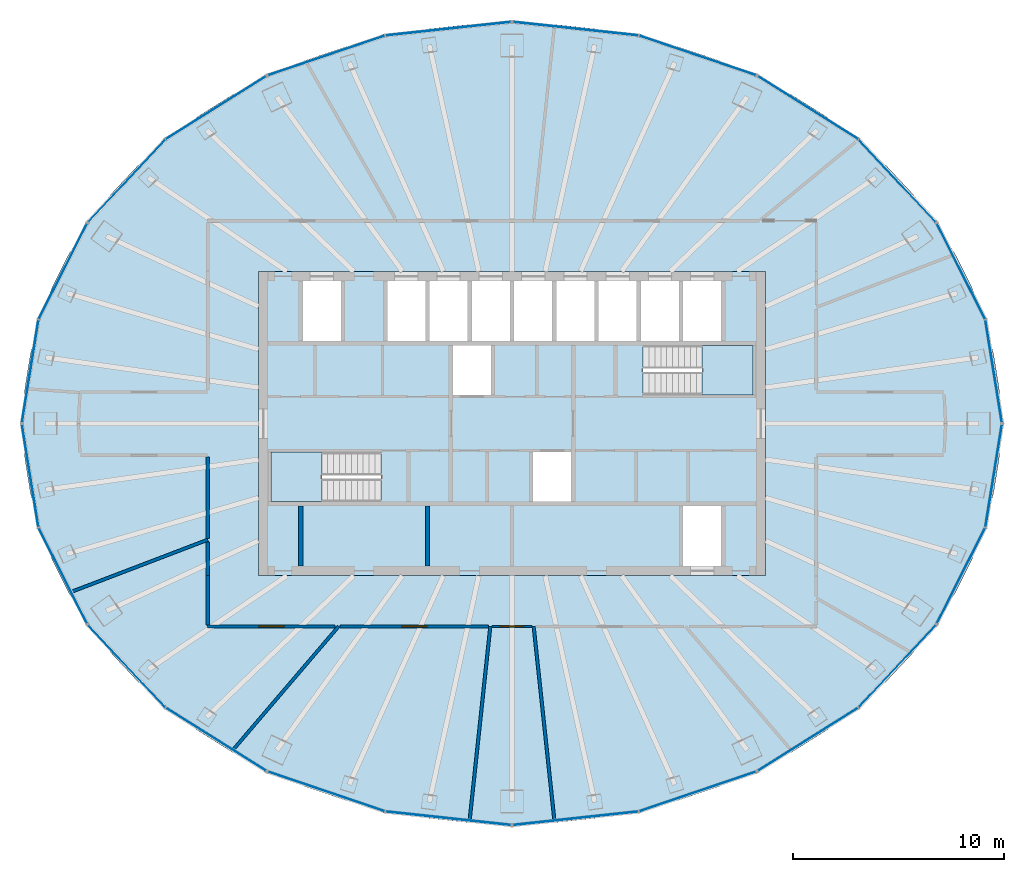
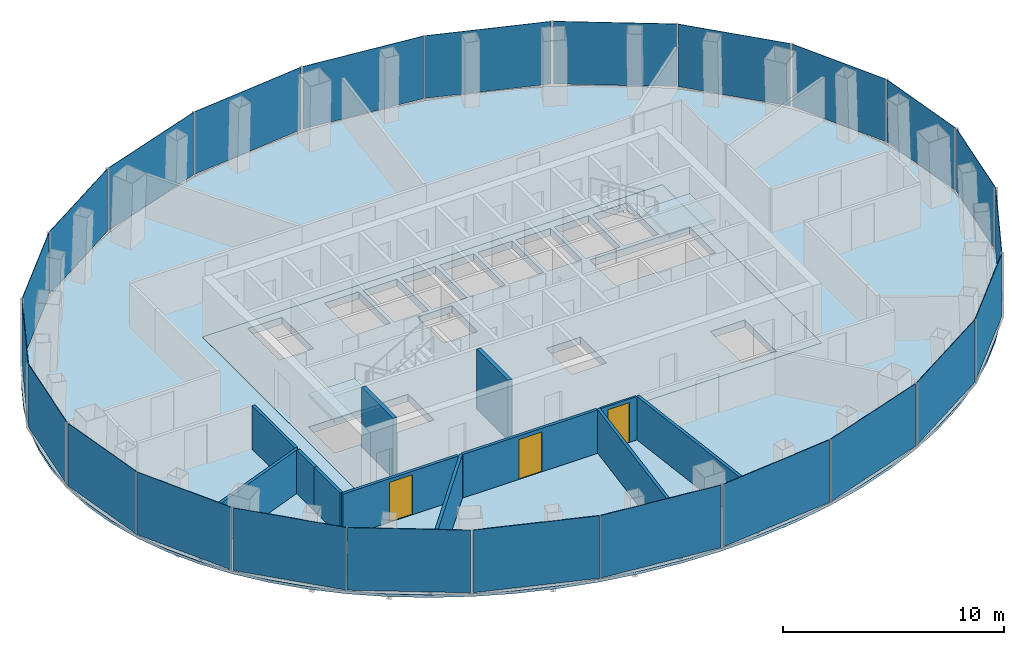
# One storey, part 7 of 11: 24 plates, 12 walls, 4 slabs, 3 doors, 3 openings, 14 elements without a shape of their own.
"""IFC4 building model written with IfcOpenShell, lengths in metres."""

import ifcopenshell
import ifcopenshell.guid

model = None  # the IFC model being written
_history = None  # IfcOwnerHistory: only IFC2X3 demands one
_inside = {}  # id of a spatial element -> (the spatial element, [elements in it])
_under = {}  # id of a project, library or spatial element -> (it, [spatial elements below it])
_declared = {}  # id of a project -> (the project, [libraries it declares])
_typed = {}  # id of a type object -> (the type object, [elements of that type])
_made_of = {}  # id of a material, layer set ... -> (it, [elements and type objects made of it])


def new_model(schema):
    """Start an empty IFC model of exactly this schema.

    Asked for "IFC4X3", IfcOpenShell would pick the latest addendum, in which some entities
    have other attributes; the version numbers below select the first issue.
    IFC2X3 requires an IfcOwnerHistory on every rooted entity: one is made here for all.
    """
    global model, _history
    if schema == "IFC4X3":
        model = ifcopenshell.file(schema_version=(4, 3, 0, 0))
    else:
        model = ifcopenshell.file(schema=schema)
    _inside.clear()
    _under.clear()
    _declared.clear()
    _typed.clear()
    _made_of.clear()
    _history = None
    if model.schema == "IFC2X3":
        org = make("IfcOrganization", Name="unknown")
        user = make(
            "IfcPersonAndOrganization",
            ThePerson=make("IfcPerson", FamilyName="unknown"),
            TheOrganization=org,
        )
        app = make(
            "IfcApplication",
            ApplicationDeveloper=org,
            Version="unknown",
            ApplicationFullName="unknown",
            ApplicationIdentifier="unknown",
        )
        _history = make(
            "IfcOwnerHistory",
            OwningUser=user,
            OwningApplication=app,
            ChangeAction="ADDED",
            CreationDate=0,
        )
    return model


def make(cls, **values):
    """One entity of the class cls with the attributes given. An attribute that is None is left unset."""
    return model.create_entity(
        cls, **{name: value for name, value in values.items() if value is not None}
    )


def rooted(cls, **values):
    """An entity with a GlobalId (a new one), such as an element, a storey or a relation."""
    return make(cls, GlobalId=ifcopenshell.guid.new(), OwnerHistory=_history, **values)


def si_unit(unit_type, name, prefix=None):
    """IfcSIUnit, for example si_unit("LENGTHUNIT", "METRE", prefix="MILLI")."""
    return make("IfcSIUnit", UnitType=unit_type, Prefix=prefix, Name=name)


def assignment(units):
    """IfcUnitAssignment: the units of a project."""
    return None if units is None else make("IfcUnitAssignment", Units=units)


def point(xyz):
    """IfcCartesianPoint."""
    return None if xyz is None else make("IfcCartesianPoint", Coordinates=xyz)


def direction(xyz):
    """IfcDirection."""
    return None if xyz is None else make("IfcDirection", DirectionRatios=xyz)


def frame(location, z_axis=None, x_axis=None):
    """IfcAxis2Placement3D, a coordinate frame: its origin and axes. An axis left out is left unset."""
    return make(
        "IfcAxis2Placement3D",
        Location=point(location),
        Axis=direction(z_axis),
        RefDirection=direction(x_axis),
    )


def frame_2d(location, x_axis=None):
    """IfcAxis2Placement2D, a coordinate frame in the plane: its origin and x axis."""
    return make(
        "IfcAxis2Placement2D", Location=point(location), RefDirection=direction(x_axis)
    )


def origin():
    """The frame at (0, 0, 0) with its axes left unset."""
    return frame((0.0, 0.0, 0.0))


def origin_2d():
    """The frame at (0, 0) in the plane with its x axis left unset."""
    return frame_2d((0.0, 0.0))


def place(relative_to, where):
    """IfcLocalPlacement: puts the frame where relative to a parent placement (None: the world)."""
    return make(
        "IfcLocalPlacement", PlacementRelTo=relative_to, RelativePlacement=where
    )


def context(
    kind, dimensions, precision=None, world=None, true_north=None, identifier=None
):
    """IfcGeometricRepresentationContext, for example the 3D "Model" context."""
    return make(
        "IfcGeometricRepresentationContext",
        ContextIdentifier=identifier,
        ContextType=kind,
        CoordinateSpaceDimension=dimensions,
        Precision=precision,
        WorldCoordinateSystem=world,
        TrueNorth=true_north,
    )


def subcontext(parent, identifier, kind, view, scale=None):
    """IfcGeometricRepresentationSubContext, for example "Body" below "Model"."""
    return make(
        "IfcGeometricRepresentationSubContext",
        ContextIdentifier=identifier,
        ContextType=kind,
        ParentContext=parent,
        TargetScale=scale,
        TargetView=view,
    )


def project(units=None, contexts=None):
    """IfcProject with its units and contexts."""
    return rooted(
        "IfcProject",
        Name="project",
        RepresentationContexts=contexts,
        UnitsInContext=assignment(units),
    )


def spatial(cls, under=None, at=None, **own):
    """A site, building, storey or space (cls), placed at a placement, below another one or the project."""
    s = rooted(cls, ObjectPlacement=at, **own)
    if under is not None:
        _under.setdefault(under.id(), (under, []))[1].append(s)
    return s


def polyline(points):
    """IfcPolyline through the points."""
    return make("IfcPolyline", Points=[point(p) for p in points])


def profile(cls, at=None, kind="AREA", **sizes):
    """A parametric profile (cls). Its sizes go by their IFC names, for example OverallWidth=200.0."""
    return make(cls, ProfileType=kind, Position=at, **sizes)


def rectangle(**sizes):
    """IfcRectangleProfileDef."""
    return profile("IfcRectangleProfileDef", **sizes)


def outline(outer, holes=None, kind="AREA"):
    """IfcArbitraryClosedProfileDef: a profile drawn as a closed curve; with holes, ...WithVoids."""
    if holes is None:
        return make("IfcArbitraryClosedProfileDef", ProfileType=kind, OuterCurve=outer)
    return make(
        "IfcArbitraryProfileDefWithVoids",
        ProfileType=kind,
        OuterCurve=outer,
        InnerCurves=holes,
    )


def extrude(swept, where, along, depth):
    """IfcExtrudedAreaSolid: the profile swept, set in the frame where, extruded along a direction by depth."""
    return make(
        "IfcExtrudedAreaSolid",
        SweptArea=swept,
        Position=where,
        ExtrudedDirection=direction(along),
        Depth=depth,
    )


def shape(context_of_items, identifier, shape_type, items):
    """IfcShapeRepresentation: the items that make up one representation, for example the "Body"."""
    return make(
        "IfcShapeRepresentation",
        ContextOfItems=context_of_items,
        RepresentationIdentifier=identifier,
        RepresentationType=shape_type,
        Items=items,
    )


def material(Name=None, Category=None):
    """IfcMaterial."""
    return make("IfcMaterial", Name=Name, Category=Category)


def layer(
    of_material, thickness, ventilated=None, Name=None, Category=None, Priority=None
):
    """IfcMaterialLayer: one layer of a wall or slab, of a material (None: an air gap)."""
    return make(
        "IfcMaterialLayer",
        Material=of_material,
        LayerThickness=thickness,
        IsVentilated=ventilated,
        Name=Name,
        Category=Category,
        Priority=Priority,
    )


def layer_set(layers, Name=None):
    """IfcMaterialLayerSet."""
    return make("IfcMaterialLayerSet", MaterialLayers=layers, LayerSetName=Name)


def made_of(thing, what):
    """Note that an element or type object is made of a material, layer set ...; save() writes the relation."""
    if what is not None:
        _made_of.setdefault(what.id(), (what, []))[1].append(thing)
    return thing


def type_object(cls, material=None, **own):
    """A type object (cls), such as IfcWallType, which elements share."""
    return made_of(rooted(cls, **own), material)


def element(
    cls,
    number,
    at=None,
    inside=None,
    cuts=None,
    type_object=None,
    material=None,
    context=None,
    identifier="Body",
    shape_type=None,
    held_by="IfcProductDefinitionShape",
    body=None,
    shapes=None,
    **own,
):
    """One element of the class cls, such as IfcWall. Its Tag is "e" and its number.

    at: its placement. inside: the storey or other place that contains it. cuts: it is an
    opening in that element (IfcRelVoidsElement). A single representation is given by context,
    identifier, shape_type and body (its items); several are given by shapes. held_by: the class
    of the entity that holds the representations. save() writes the other relations.
    """
    e = rooted(cls, Tag="e%d" % number, ObjectPlacement=at, **own)
    if body is not None:
        shapes = [shape(context, identifier, shape_type, body)]
    if shapes is not None:
        e.Representation = make(held_by, Representations=shapes)
    if inside is not None:
        _inside.setdefault(inside.id(), (inside, []))[1].append(e)
    if cuts is not None:
        rooted(
            "IfcRelVoidsElement", RelatingBuildingElement=cuts, RelatedOpeningElement=e
        )
    if type_object is not None:
        _typed.setdefault(type_object.id(), (type_object, []))[1].append(e)
    return made_of(e, material)


def fill(opening, filler):
    """IfcRelFillsElement: the door or window that sits in an opening."""
    return rooted(
        "IfcRelFillsElement",
        RelatingOpeningElement=opening,
        RelatedBuildingElement=filler,
    )


def aggregate(whole, parts):
    """IfcRelAggregates: a whole, such as a stair, and the parts it consists of."""
    return rooted("IfcRelAggregates", RelatingObject=whole, RelatedObjects=parts)


def save(model, path):
    """Write the relations noted so far, then the file.

    IfcRelAggregates (storeys below a building ...), IfcRelContainedInSpatialStructure (elements
    in a storey), IfcRelDefinesByType, IfcRelAssociatesMaterial and IfcRelDeclares: one each for
    every whole, place, type object, material and project.
    """
    for whole, parts in _under.values():
        aggregate(whole, parts)
    for where, things in _inside.values():
        rooted(
            "IfcRelContainedInSpatialStructure",
            RelatedElements=things,
            RelatingStructure=where,
        )
    for kind, things in _typed.values():
        rooted("IfcRelDefinesByType", RelatedObjects=things, RelatingType=kind)
    for what, things in _made_of.values():
        rooted("IfcRelAssociatesMaterial", RelatedObjects=things, RelatingMaterial=what)
    for by, libraries in _declared.values():
        rooted("IfcRelDeclares", RelatingContext=by, RelatedDefinitions=libraries)
    model.write(path)


model = new_model("IFC4")

# Units and contexts
model_context = context("Model", 3, precision=1e-05, world=origin(), true_north=direction((0.0, 1.0)))
body_context = subcontext(model_context, "Body", "Model", "MODEL_VIEW")
ifc_project = project(units=[si_unit("LENGTHUNIT", "METRE"), si_unit("AREAUNIT", "SQUARE_METRE"), si_unit("VOLUMEUNIT", "CUBIC_METRE"), si_unit("PLANEANGLEUNIT", "RADIAN"), si_unit("MASSUNIT", "GRAM", prefix="KILO")], contexts=[model_context])

# Site, building, storey
site_placement = place(None, origin())
site = spatial("IfcSite", under=ifc_project, at=site_placement, CompositionType="ELEMENT")
building_placement = place(site_placement, origin())
building = spatial("IfcBuilding", under=site, at=building_placement, Name="Siaravel Broadcast Tower", CompositionType="ELEMENT")
storey_placement = place(building_placement, frame((0.0, 0.0, 183.0)))
storey = spatial("IfcBuildingStorey", under=building, at=storey_placement, Name="L44", CompositionType="ELEMENT", Elevation=183.0)

# Curtain wall, plates
ifc_material_1 = material(Name="Aluminium 6063-T6", Category="aluminium")
ifc_layer_1 = layer(ifc_material_1, 0.179931640625)
ifc_layer_set_1 = layer_set([ifc_layer_1], Name="Aluminium 6063-T6")
curtain_wall_type = type_object("IfcCurtainWallType", Name="Unitised curtain wall, zone 3", PredefinedType="NOTDEFINED", material=ifc_layer_set_1)
curtain_wall_1_placement = place(storey_placement, origin())
curtain_wall_1 = element("IfcCurtainWall", 1, at=curtain_wall_1_placement, inside=storey, type_object=curtain_wall_type, Name="L44 Unitised curtain wall, zone 3 01", PredefinedType="NOTDEFINED")
ifc_material_2 = material(Name="Tinted insulated glass", Category="glass")
ifc_layer_2 = layer(ifc_material_2, 0.028076171875)
ifc_layer_set_2 = layer_set([ifc_layer_2], Name="Tinted insulated glass")
plate_type = type_object("IfcPlateType", Name="CW-Z3 glass panel", PredefinedType="CURTAIN_PANEL", material=ifc_layer_set_2)
plate_1_placement = place(storey_placement, frame((22.796630859375, 2.475830078125, 0.10009765625), z_axis=(0.0, 0.0, 1.0), x_axis=(-0.158685547, 0.987329174, 0.0)))
plate_1 = element("IfcPlate", 2, at=plate_1_placement, type_object=plate_type, Name="CW-Z3 glass panel", PredefinedType="CURTAIN_PANEL", context=body_context, shape_type="SweptSolid", body=[
    extrude(rectangle(XDim=4.8955078125, YDim=0.028076171875, at=origin_2d()), origin(), (0.0, 0.0, 1.0), 3.449951171875),
])
plate_2_placement = place(storey_placement, frame((21.250732421875, 7.20166015625, 0.10009765625), z_axis=(0.0, 0.0, 1.0), x_axis=(-0.451261028, 0.892392002, 0.0)))
plate_2 = element("IfcPlate", 3, at=plate_2_placement, type_object=plate_type, Name="CW-Z3 glass panel", PredefinedType="CURTAIN_PANEL", context=body_context, shape_type="SweptSolid", body=[
    extrude(rectangle(XDim=5.048583984375, YDim=0.028076171875, at=origin_2d()), origin(), (0.0, 0.0, 1.0), 3.449951171875),
])
aggregate(curtain_wall_1, [plate_1, plate_2])

curtain_wall_2_placement = place(storey_placement, origin())
curtain_wall_2 = element("IfcCurtainWall", 4, at=curtain_wall_2_placement, inside=storey, type_object=curtain_wall_type, Name="L44 Unitised curtain wall, zone 3 02", PredefinedType="NOTDEFINED")
plate_3_placement = place(storey_placement, frame((18.230712890625, 11.48681640625, 0.10009765625), z_axis=(0.0, 0.0, 1.0), x_axis=(-0.683655351, 0.729805016, 0.0)))
plate_3 = element("IfcPlate", 5, at=plate_3_placement, type_object=plate_type, Name="CW-Z3 glass panel", PredefinedType="CURTAIN_PANEL", context=body_context, shape_type="SweptSolid", body=[
    extrude(rectangle(XDim=5.303466796875, YDim=0.028076171875, at=origin_2d()), origin(), (0.0, 0.0, 1.0), 3.449951171875),
])
plate_4_placement = place(storey_placement, frame((14.00830078125, 14.945556640625, 0.10009765625), z_axis=(0.0, 0.0, 1.0), x_axis=(-0.846650771, 0.532148919, 0.0)))
plate_4 = element("IfcPlate", 6, at=plate_4_placement, type_object=plate_type, Name="CW-Z3 glass panel", PredefinedType="CURTAIN_PANEL", context=body_context, shape_type="SweptSolid", body=[
    extrude(rectangle(XDim=5.583740234375, YDim=0.028076171875, at=origin_2d()), origin(), (0.0, 0.0, 1.0), 3.449951171875),
])
aggregate(curtain_wall_2, [plate_3, plate_4])

curtain_wall_3_placement = place(storey_placement, origin())
curtain_wall_3 = element("IfcCurtainWall", 7, at=curtain_wall_3_placement, inside=storey, type_object=curtain_wall_type, Name="L44 Unitised curtain wall, zone 3 03", PredefinedType="NOTDEFINED")
plate_5_placement = place(storey_placement, frame((8.783203125, 17.416748046875, 0.10009765625), z_axis=(0.0, 0.0, 1.0), x_axis=(-0.946977335, 0.321300369, 0.0)))
plate_5 = element("IfcPlate", 8, at=plate_5_placement, type_object=plate_type, Name="CW-Z3 glass panel", PredefinedType="CURTAIN_PANEL", context=body_context, shape_type="SweptSolid", body=[
    extrude(rectangle(XDim=5.81591796875, YDim=0.028076171875, at=origin_2d()), origin(), (0.0, 0.0, 1.0), 3.449951171875),
])
plate_6_placement = place(storey_placement, frame((3.015380859375, 18.6826171875, 0.10009765625), z_axis=(0.0, 0.0, 1.0), x_axis=(-0.994235601, 0.107217391, 0.0)))
plate_6 = element("IfcPlate", 9, at=plate_6_placement, type_object=plate_type, Name="CW-Z3 glass panel", PredefinedType="CURTAIN_PANEL", context=body_context, shape_type="SweptSolid", body=[
    extrude(rectangle(XDim=5.94580078125, YDim=0.028076171875, at=origin_2d()), origin(), (0.0, 0.0, 1.0), 3.449951171875),
])
aggregate(curtain_wall_3, [plate_5, plate_6])

curtain_wall_4_placement = place(storey_placement, origin())
curtain_wall_4 = element("IfcCurtainWall", 10, at=curtain_wall_4_placement, inside=storey, type_object=curtain_wall_type, Name="L44 Unitised curtain wall, zone 3 04", PredefinedType="NOTDEFINED")
plate_7_placement = place(storey_placement, frame((-3.015380859375, 18.6826171875, 0.10009765625), z_axis=(0.0, 0.0, 1.0), x_axis=(-0.994235601, -0.107217391, 0.0)))
plate_7 = element("IfcPlate", 11, at=plate_7_placement, type_object=plate_type, Name="CW-Z3 glass panel", PredefinedType="CURTAIN_PANEL", context=body_context, shape_type="SweptSolid", body=[
    extrude(rectangle(XDim=5.94580078125, YDim=0.028076171875, at=origin_2d()), origin(), (0.0, 0.0, 1.0), 3.449951171875),
])
plate_8_placement = place(storey_placement, frame((-8.783203125, 17.416748046875, 0.10009765625), z_axis=(0.0, 0.0, 1.0), x_axis=(-0.946977335, -0.321300369, 0.0)))
plate_8 = element("IfcPlate", 12, at=plate_8_placement, type_object=plate_type, Name="CW-Z3 glass panel", PredefinedType="CURTAIN_PANEL", context=body_context, shape_type="SweptSolid", body=[
    extrude(rectangle(XDim=5.81591796875, YDim=0.028076171875, at=origin_2d()), origin(), (0.0, 0.0, 1.0), 3.449951171875),
])
aggregate(curtain_wall_4, [plate_7, plate_8])

curtain_wall_5_placement = place(storey_placement, origin())
curtain_wall_5 = element("IfcCurtainWall", 13, at=curtain_wall_5_placement, inside=storey, type_object=curtain_wall_type, Name="L44 Unitised curtain wall, zone 3 05", PredefinedType="NOTDEFINED")
plate_9_placement = place(storey_placement, frame((-14.00830078125, 14.945556640625, 0.10009765625), z_axis=(0.0, 0.0, 1.0), x_axis=(-0.846650771, -0.532148919, 0.0)))
plate_9 = element("IfcPlate", 14, at=plate_9_placement, type_object=plate_type, Name="CW-Z3 glass panel", PredefinedType="CURTAIN_PANEL", context=body_context, shape_type="SweptSolid", body=[
    extrude(rectangle(XDim=5.583740234375, YDim=0.028076171875, at=origin_2d()), origin(), (0.0, 0.0, 1.0), 3.449951171875),
])
plate_10_placement = place(storey_placement, frame((-18.230712890625, 11.48681640625, 0.10009765625), z_axis=(0.0, 0.0, 1.0), x_axis=(-0.683655351, -0.729805016, 0.0)))
plate_10 = element("IfcPlate", 15, at=plate_10_placement, type_object=plate_type, Name="CW-Z3 glass panel", PredefinedType="CURTAIN_PANEL", context=body_context, shape_type="SweptSolid", body=[
    extrude(rectangle(XDim=5.303466796875, YDim=0.028076171875, at=origin_2d()), origin(), (0.0, 0.0, 1.0), 3.449951171875),
])
aggregate(curtain_wall_5, [plate_9, plate_10])

curtain_wall_6_placement = place(storey_placement, origin())
curtain_wall_6 = element("IfcCurtainWall", 16, at=curtain_wall_6_placement, inside=storey, type_object=curtain_wall_type, Name="L44 Unitised curtain wall, zone 3 06", PredefinedType="NOTDEFINED")
plate_11_placement = place(storey_placement, frame((-21.250732421875, 7.20166015625, 0.10009765625), z_axis=(0.0, 0.0, 1.0), x_axis=(-0.451261028, -0.892392002, 0.0)))
plate_11 = element("IfcPlate", 17, at=plate_11_placement, type_object=plate_type, Name="CW-Z3 glass panel", PredefinedType="CURTAIN_PANEL", context=body_context, shape_type="SweptSolid", body=[
    extrude(rectangle(XDim=5.048583984375, YDim=0.028076171875, at=origin_2d()), origin(), (0.0, 0.0, 1.0), 3.449951171875),
])
plate_12_placement = place(storey_placement, frame((-22.796630859375, 2.475830078125, 0.10009765625), z_axis=(0.0, 0.0, 1.0), x_axis=(-0.158685547, -0.987329174, 0.0)))
plate_12 = element("IfcPlate", 18, at=plate_12_placement, type_object=plate_type, Name="CW-Z3 glass panel", PredefinedType="CURTAIN_PANEL", context=body_context, shape_type="SweptSolid", body=[
    extrude(rectangle(XDim=4.8955078125, YDim=0.028076171875, at=origin_2d()), origin(), (0.0, 0.0, 1.0), 3.449951171875),
])
aggregate(curtain_wall_6, [plate_11, plate_12])

curtain_wall_7_placement = place(storey_placement, origin())
curtain_wall_7 = element("IfcCurtainWall", 19, at=curtain_wall_7_placement, inside=storey, type_object=curtain_wall_type, Name="L44 Unitised curtain wall, zone 3 07", PredefinedType="NOTDEFINED")
plate_13_placement = place(storey_placement, frame((-22.796630859375, -2.475830078125, 0.10009765625), z_axis=(0.0, 0.0, 1.0), x_axis=(0.158685547, -0.987329174, 0.0)))
plate_13 = element("IfcPlate", 20, at=plate_13_placement, type_object=plate_type, Name="CW-Z3 glass panel", PredefinedType="CURTAIN_PANEL", context=body_context, shape_type="SweptSolid", body=[
    extrude(rectangle(XDim=4.8955078125, YDim=0.028076171875, at=origin_2d()), origin(), (0.0, 0.0, 1.0), 3.449951171875),
])
plate_14_placement = place(storey_placement, frame((-21.250732421875, -7.20166015625, 0.10009765625), z_axis=(0.0, 0.0, 1.0), x_axis=(0.451261028, -0.892392002, 0.0)))
plate_14 = element("IfcPlate", 21, at=plate_14_placement, type_object=plate_type, Name="CW-Z3 glass panel", PredefinedType="CURTAIN_PANEL", context=body_context, shape_type="SweptSolid", body=[
    extrude(rectangle(XDim=5.048583984375, YDim=0.028076171875, at=origin_2d()), origin(), (0.0, 0.0, 1.0), 3.449951171875),
])
aggregate(curtain_wall_7, [plate_13, plate_14])

curtain_wall_8_placement = place(storey_placement, origin())
curtain_wall_8 = element("IfcCurtainWall", 22, at=curtain_wall_8_placement, inside=storey, type_object=curtain_wall_type, Name="L44 Unitised curtain wall, zone 3 08", PredefinedType="NOTDEFINED")
plate_15_placement = place(storey_placement, frame((-18.230712890625, -11.48681640625, 0.10009765625), z_axis=(0.0, 0.0, 1.0), x_axis=(0.683655351, -0.729805016, 0.0)))
plate_15 = element("IfcPlate", 23, at=plate_15_placement, type_object=plate_type, Name="CW-Z3 glass panel", PredefinedType="CURTAIN_PANEL", context=body_context, shape_type="SweptSolid", body=[
    extrude(rectangle(XDim=5.303466796875, YDim=0.028076171875, at=origin_2d()), origin(), (0.0, 0.0, 1.0), 3.449951171875),
])
plate_16_placement = place(storey_placement, frame((-14.00830078125, -14.945556640625, 0.10009765625), z_axis=(0.0, 0.0, 1.0), x_axis=(0.846650771, -0.532148919, 0.0)))
plate_16 = element("IfcPlate", 24, at=plate_16_placement, type_object=plate_type, Name="CW-Z3 glass panel", PredefinedType="CURTAIN_PANEL", context=body_context, shape_type="SweptSolid", body=[
    extrude(rectangle(XDim=5.583740234375, YDim=0.028076171875, at=origin_2d()), origin(), (0.0, 0.0, 1.0), 3.449951171875),
])
aggregate(curtain_wall_8, [plate_15, plate_16])

curtain_wall_9_placement = place(storey_placement, origin())
curtain_wall_9 = element("IfcCurtainWall", 25, at=curtain_wall_9_placement, inside=storey, type_object=curtain_wall_type, Name="L44 Unitised curtain wall, zone 3 09", PredefinedType="NOTDEFINED")
plate_17_placement = place(storey_placement, frame((-8.783203125, -17.416748046875, 0.10009765625), z_axis=(0.0, 0.0, 1.0), x_axis=(0.946977335, -0.321300369, 0.0)))
plate_17 = element("IfcPlate", 26, at=plate_17_placement, type_object=plate_type, Name="CW-Z3 glass panel", PredefinedType="CURTAIN_PANEL", context=body_context, shape_type="SweptSolid", body=[
    extrude(rectangle(XDim=5.81591796875, YDim=0.028076171875, at=origin_2d()), origin(), (0.0, 0.0, 1.0), 3.449951171875),
])
plate_18_placement = place(storey_placement, frame((-3.015380859375, -18.6826171875, 0.10009765625), z_axis=(0.0, 0.0, 1.0), x_axis=(0.994235601, -0.107217391, 0.0)))
plate_18 = element("IfcPlate", 27, at=plate_18_placement, type_object=plate_type, Name="CW-Z3 glass panel", PredefinedType="CURTAIN_PANEL", context=body_context, shape_type="SweptSolid", body=[
    extrude(rectangle(XDim=5.94580078125, YDim=0.028076171875, at=origin_2d()), origin(), (0.0, 0.0, 1.0), 3.449951171875),
])
aggregate(curtain_wall_9, [plate_17, plate_18])

curtain_wall_10_placement = place(storey_placement, origin())
curtain_wall_10 = element("IfcCurtainWall", 28, at=curtain_wall_10_placement, inside=storey, type_object=curtain_wall_type, Name="L44 Unitised curtain wall, zone 3 10", PredefinedType="NOTDEFINED")
plate_19_placement = place(storey_placement, frame((3.015380859375, -18.6826171875, 0.10009765625), z_axis=(0.0, 0.0, 1.0), x_axis=(0.994235601, 0.107217391, 0.0)))
plate_19 = element("IfcPlate", 29, at=plate_19_placement, type_object=plate_type, Name="CW-Z3 glass panel", PredefinedType="CURTAIN_PANEL", context=body_context, shape_type="SweptSolid", body=[
    extrude(rectangle(XDim=5.94580078125, YDim=0.028076171875, at=origin_2d()), origin(), (0.0, 0.0, 1.0), 3.449951171875),
])
plate_20_placement = place(storey_placement, frame((8.783203125, -17.416748046875, 0.10009765625), z_axis=(0.0, 0.0, 1.0), x_axis=(0.946977335, 0.321300369, 0.0)))
plate_20 = element("IfcPlate", 30, at=plate_20_placement, type_object=plate_type, Name="CW-Z3 glass panel", PredefinedType="CURTAIN_PANEL", context=body_context, shape_type="SweptSolid", body=[
    extrude(rectangle(XDim=5.81591796875, YDim=0.028076171875, at=origin_2d()), origin(), (0.0, 0.0, 1.0), 3.449951171875),
])
aggregate(curtain_wall_10, [plate_19, plate_20])

curtain_wall_11_placement = place(storey_placement, origin())
curtain_wall_11 = element("IfcCurtainWall", 31, at=curtain_wall_11_placement, inside=storey, type_object=curtain_wall_type, Name="L44 Unitised curtain wall, zone 3 11", PredefinedType="NOTDEFINED")
plate_21_placement = place(storey_placement, frame((14.00830078125, -14.945556640625, 0.10009765625), z_axis=(0.0, 0.0, 1.0), x_axis=(0.846650771, 0.532148919, 0.0)))
plate_21 = element("IfcPlate", 32, at=plate_21_placement, type_object=plate_type, Name="CW-Z3 glass panel", PredefinedType="CURTAIN_PANEL", context=body_context, shape_type="SweptSolid", body=[
    extrude(rectangle(XDim=5.583740234375, YDim=0.028076171875, at=origin_2d()), origin(), (0.0, 0.0, 1.0), 3.449951171875),
])
plate_22_placement = place(storey_placement, frame((18.230712890625, -11.48681640625, 0.10009765625), z_axis=(0.0, 0.0, 1.0), x_axis=(0.683655351, 0.729805016, 0.0)))
plate_22 = element("IfcPlate", 33, at=plate_22_placement, type_object=plate_type, Name="CW-Z3 glass panel", PredefinedType="CURTAIN_PANEL", context=body_context, shape_type="SweptSolid", body=[
    extrude(rectangle(XDim=5.303466796875, YDim=0.028076171875, at=origin_2d()), origin(), (0.0, 0.0, 1.0), 3.449951171875),
])
aggregate(curtain_wall_11, [plate_21, plate_22])

curtain_wall_12_placement = place(storey_placement, origin())
curtain_wall_12 = element("IfcCurtainWall", 34, at=curtain_wall_12_placement, inside=storey, type_object=curtain_wall_type, Name="L44 Unitised curtain wall, zone 3 12", PredefinedType="NOTDEFINED")
plate_23_placement = place(storey_placement, frame((21.250732421875, -7.20166015625, 0.10009765625), z_axis=(0.0, 0.0, 1.0), x_axis=(0.451261028, 0.892392002, 0.0)))
plate_23 = element("IfcPlate", 35, at=plate_23_placement, type_object=plate_type, Name="CW-Z3 glass panel", PredefinedType="CURTAIN_PANEL", context=body_context, shape_type="SweptSolid", body=[
    extrude(rectangle(XDim=5.048583984375, YDim=0.028076171875, at=origin_2d()), origin(), (0.0, 0.0, 1.0), 3.449951171875),
])
plate_24_placement = place(storey_placement, frame((22.796630859375, -2.475830078125, 0.10009765625), z_axis=(0.0, 0.0, 1.0), x_axis=(0.158685547, 0.987329174, 0.0)))
plate_24 = element("IfcPlate", 36, at=plate_24_placement, type_object=plate_type, Name="CW-Z3 glass panel", PredefinedType="CURTAIN_PANEL", context=body_context, shape_type="SweptSolid", body=[
    extrude(rectangle(XDim=4.8955078125, YDim=0.028076171875, at=origin_2d()), origin(), (0.0, 0.0, 1.0), 3.449951171875),
])
aggregate(curtain_wall_12, [plate_23, plate_24])

# Slabs
ifc_material_3 = material(Name="Concrete C40/50", Category="concrete")
ifc_layer_3 = layer(ifc_material_3, 0.39990234375)
ifc_layer_set_3 = layer_set([ifc_layer_3], Name="Concrete C40/50")
slab_type_1 = type_object("IfcSlabType", Name="Core floor slab 400", PredefinedType="FLOOR", material=ifc_layer_set_3)
slab_1_placement = place(storey_placement, frame((0.0, 0.0, -0.39990234375)))
element("IfcSlab", 37, at=slab_1_placement, inside=storey, type_object=slab_type_1, Name="L44 core floor", PredefinedType="FLOOR", context=body_context, shape_type="SweptSolid", body=[
    extrude(outline(polyline([(-12.0, -7.199951171875), (-12.0, 7.199951171875), (12.0, 7.199951171875), (12.0, -7.199951171875), (-12.0, -7.199951171875)]), holes=[polyline([(11.3994140625, 1.3505859375), (11.3994140625, 3.699462890625), (6.200439453125, 3.699462890625), (6.200439453125, 1.3505859375), (11.3994140625, 1.3505859375)]), polyline([(8.10009765625, -3.89990234375), (8.10009765625, -6.75), (9.89990234375, -6.75), (9.89990234375, -3.89990234375), (8.10009765625, -3.89990234375)]), polyline([(9.89990234375, 6.75), (8.10009765625, 6.75), (8.10009765625, 3.89990234375), (9.89990234375, 3.89990234375), (9.89990234375, 6.75)]), polyline([(7.89990234375, 6.75), (6.10009765625, 6.75), (6.10009765625, 3.89990234375), (7.89990234375, 3.89990234375), (7.89990234375, 6.75)]), polyline([(5.89990234375, 6.75), (4.10009765625, 6.75), (4.10009765625, 3.89990234375), (5.89990234375, 3.89990234375), (5.89990234375, 6.75)]), polyline([(3.89990234375, 6.75), (2.10009765625, 6.75), (2.10009765625, 3.89990234375), (3.89990234375, 3.89990234375), (3.89990234375, 6.75)]), polyline([(2.800048828125, -1.35009765625), (1.0, -1.35009765625), (1.0, -3.699951171875), (2.800048828125, -3.699951171875), (2.800048828125, -1.35009765625)]), polyline([(1.89990234375, 6.75), (0.10009765625, 6.75), (0.10009765625, 3.89990234375), (1.89990234375, 3.89990234375), (1.89990234375, 6.75)]), polyline([(-0.10009765625, 6.75), (-1.89990234375, 6.75), (-1.89990234375, 3.89990234375), (-0.10009765625, 3.89990234375), (-0.10009765625, 6.75)]), polyline([(-1.0, 3.699951171875), (-2.800048828125, 3.699951171875), (-2.800048828125, 1.35009765625), (-1.0, 1.35009765625), (-1.0, 3.699951171875)]), polyline([(-2.10009765625, 6.75), (-3.89990234375, 6.75), (-3.89990234375, 3.89990234375), (-2.10009765625, 3.89990234375), (-2.10009765625, 6.75)]), polyline([(-4.10009765625, 6.75), (-5.89990234375, 6.75), (-5.89990234375, 3.89990234375), (-4.10009765625, 3.89990234375), (-4.10009765625, 6.75)]), polyline([(-11.3994140625, -3.699462890625), (-6.200439453125, -3.699462890625), (-6.200439453125, -1.3505859375), (-11.3994140625, -1.3505859375), (-11.3994140625, -3.699462890625)]), polyline([(-8.10009765625, 6.75), (-9.89990234375, 6.75), (-9.89990234375, 3.89990234375), (-8.10009765625, 3.89990234375), (-8.10009765625, 6.75)])]), origin(), (0.0, 0.0, 1.0), 0.39990234375),
])
ifc_layer_4 = layer(ifc_material_3, 0.14990234375)
ifc_layer_set_4 = layer_set([ifc_layer_4], Name="Concrete C40/50")
slab_type_2 = type_object("IfcSlabType", Name="SLB-FLOOR-150", PredefinedType="FLOOR", material=ifc_layer_set_4)
slab_2_placement = place(storey_placement, frame((0.0, 0.0, -0.14990234375)))
element("IfcSlab", 38, at=slab_2_placement, inside=storey, type_object=slab_type_2, Name="Floor slab", PredefinedType="FLOOR", context=body_context, shape_type="SweptSolid", body=[
    extrude(outline(polyline([(23.14453125, 0.0), (23.056396484375, 1.65234375), (22.79296875, 3.2919921875), (22.35595703125, 4.90673828125), (21.748779296875, 6.48388671875), (20.97607421875, 8.011962890625), (20.043701171875, 9.47900390625), (18.958984375, 10.873779296875), (17.729736328125, 12.185791015625), (16.365478515625, 13.4052734375), (14.876953125, 14.522705078125), (13.275146484375, 15.529296875), (11.572265625, 16.41796875), (9.78125, 17.181640625), (7.916015625, 17.814697265625), (5.990234375, 18.31201171875), (4.01904296875, 18.669921875), (2.01708984375, 18.8857421875), (0.0, 18.9580078125), (-2.01708984375, 18.8857421875), (-4.01904296875, 18.669921875), (-5.990234375, 18.31201171875), (-7.916015625, 17.814697265625), (-9.78125, 17.181640625), (-11.572265625, 16.41796875), (-13.275146484375, 15.529296875), (-14.876953125, 14.522705078125), (-16.365478515625, 13.4052734375), (-17.729736328125, 12.185791015625), (-18.958984375, 10.873779296875), (-20.043701171875, 9.47900390625), (-20.97607421875, 8.011962890625), (-21.748779296875, 6.48388671875), (-22.35595703125, 4.90673828125), (-22.79296875, 3.2919921875), (-23.056396484375, 1.65234375), (-23.14453125, 0.0), (-23.056396484375, -1.65234375), (-22.79296875, -3.2919921875), (-22.35595703125, -4.90673828125), (-21.748779296875, -6.48388671875), (-20.97607421875, -8.011962890625), (-20.043701171875, -9.47900390625), (-18.958984375, -10.873779296875), (-17.729736328125, -12.185791015625), (-16.365478515625, -13.4052734375), (-14.876953125, -14.522705078125), (-13.275146484375, -15.529296875), (-11.572265625, -16.41796875), (-9.78125, -17.181640625), (-7.916015625, -17.814697265625), (-5.990234375, -18.31201171875), (-4.01904296875, -18.669921875), (-2.01708984375, -18.8857421875), (0.0, -18.9580078125), (2.01708984375, -18.8857421875), (4.01904296875, -18.669921875), (5.990234375, -18.31201171875), (7.916015625, -17.814697265625), (9.78125, -17.181640625), (11.572265625, -16.41796875), (13.275146484375, -15.529296875), (14.876953125, -14.522705078125), (16.365478515625, -13.4052734375), (17.729736328125, -12.185791015625), (18.958984375, -10.873779296875), (20.043701171875, -9.47900390625), (20.97607421875, -8.011962890625), (21.748779296875, -6.48388671875), (22.35595703125, -4.90673828125), (22.79296875, -3.2919921875), (23.056396484375, -1.65234375), (23.14453125, 0.0)]), holes=[polyline([(-12.0, 7.199951171875), (12.0, 7.199951171875), (12.0, -7.199951171875), (-12.0, -7.199951171875), (-12.0, 7.199951171875)])]), origin(), (0.0, 0.0, 1.0), 0.14990234375),
])

# Stair, slab
stair_type = type_object("IfcStairType", Name="Core exit stair", PredefinedType="HALF_TURN_STAIR", material=ifc_material_3)
stair_1_placement = place(storey_placement, origin())
stair_1 = element("IfcStair", 39, at=stair_1_placement, inside=storey, type_object=stair_type, Name="L44 Exit stair ST-1", PredefinedType="HALF_TURN_STAIR")
ifc_layer_5 = layer(ifc_material_3, 0.199951171875)
ifc_layer_set_5 = layer_set([ifc_layer_5], Name="Concrete C40/50")
slab_type_3 = type_object("IfcSlabType", Name="Stair landing", PredefinedType="LANDING", material=ifc_layer_set_5)
slab_3_placement = place(storey_placement, frame((0.0, 0.0, 1.64990234375)))
slab_3 = element("IfcSlab", 40, at=slab_3_placement, type_object=slab_type_3, Name="ST-1 landing 1", PredefinedType="LANDING", context=body_context, shape_type="SweptSolid", body=[
    extrude(outline(polyline([(-9.0, -1.35009765625), (-11.39990234375, -1.35009765625), (-11.39990234375, -3.699951171875), (-9.0, -3.699951171875), (-9.0, -1.35009765625)])), origin(), (0.0, 0.0, 1.0), 0.2001953125),
])
aggregate(stair_1, [slab_3])

stair_2_placement = place(storey_placement, origin())
stair_2 = element("IfcStair", 41, at=stair_2_placement, inside=storey, type_object=stair_type, Name="L44 Exit stair ST-2", PredefinedType="HALF_TURN_STAIR")
slab_4_placement = place(storey_placement, frame((0.0, 0.0, 1.64990234375)))
slab_4 = element("IfcSlab", 42, at=slab_4_placement, type_object=slab_type_3, Name="ST-2 landing 1", PredefinedType="LANDING", context=body_context, shape_type="SweptSolid", body=[
    extrude(outline(polyline([(9.0, 1.35009765625), (11.39990234375, 1.35009765625), (11.39990234375, 3.699951171875), (9.0, 3.699951171875), (9.0, 1.35009765625)])), origin(), (0.0, 0.0, 1.0), 0.2001953125),
])
aggregate(stair_2, [slab_4])

# Wall
ifc_material_4 = material(Name="Concrete blockwork", Category="masonry")
ifc_layer_6 = layer(ifc_material_4, 0.199951171875)
ifc_layer_set_6 = layer_set([ifc_layer_6], Name="Concrete blockwork")
wall_type_1 = type_object("IfcWallType", Name="Core partition 200", PredefinedType="PARTITIONING", material=ifc_layer_set_6)
wall_1_placement = place(storey_placement, frame((-4.0, -6.75, 0.0), z_axis=(0.0, 0.0, 1.0), x_axis=(0.0, 1.0, 0.0)))
element("IfcWall", 43, at=wall_1_placement, inside=storey, type_object=wall_type_1, Name="L44 core partition PFS0", PredefinedType="PARTITIONING", context=body_context, shape_type="SweptSolid", body=[
    extrude(rectangle(XDim=2.85009765625, YDim=0.199951171875, at=frame_2d((1.425048828125, 0.0))), origin(), (0.0, 0.0, 1.0), 3.300048828125),
])

# Wall, opening, door
ifc_material_5 = material(Name="Gypsum board partition", Category="gypsum")
ifc_layer_7 = layer(ifc_material_5, 0.14990234375)
ifc_layer_set_7 = layer_set([ifc_layer_7], Name="Gypsum board partition")
wall_type_2 = type_object("IfcWallType", Name="Corridor wall 150", PredefinedType="PARTITIONING", material=ifc_layer_set_7)
wall_2_placement = place(storey_placement, frame((-8.1474609375, -9.60009765625, 0.0), z_axis=(0.0, 0.0, 1.0), x_axis=(1.0, 0.0, 0.0)))
wall_2 = element("IfcWall", 44, at=wall_2_placement, inside=storey, type_object=wall_type_2, Name="L44 partition 9", PredefinedType="PARTITIONING", context=body_context, shape_type="SweptSolid", body=[
    extrude(rectangle(XDim=7.03662109375, YDim=0.14990234375, at=frame_2d((3.518310546875, 0.0))), origin(), (0.0, 0.0, 1.0), 2.39990234375),
])
opening_1_placement = place(wall_2_placement, frame((2.918212890625, 0.0, 0.0)))
opening_1 = element("IfcOpeningElement", 45, at=opening_1_placement, cuts=wall_2, Name="Opening L44-012", PredefinedType="OPENING", context=body_context, shape_type="SweptSolid", body=[
    extrude(rectangle(XDim=1.199951171875, YDim=2.199951171875, at=frame_2d((0.60009765625, 1.10009765625))), frame((0.0, 0.0849609375, 0.0), z_axis=(0.0, -1.0, 0.0), x_axis=(1.0, 0.0, 0.0)), (0.0, 0.0, 1.0), 0.169921875),
])
ifc_material_6 = material(Name="Timber veneer", Category="wood")
door_type_1 = type_object("IfcDoorType", Name="Office double door 1200", OperationType="DOUBLE_DOOR_SINGLE_SWING", PredefinedType="DOOR", material=ifc_material_6)
door_1_placement = place(opening_1_placement, origin())
door_1 = element("IfcDoor", 46, at=door_1_placement, inside=storey, type_object=door_type_1, Name="L44 door to Open plan office", OperationType="DOUBLE_DOOR_SINGLE_SWING", OverallHeight=2.199951171875, OverallWidth=1.199951171875, PredefinedType="DOOR", context=body_context, shape_type="SweptSolid", body=[
    extrude(rectangle(XDim=1.199951171875, YDim=2.199951171875, at=frame_2d((0.60009765625, 1.10009765625))), frame((0.0, 0.02490234375, 0.0), z_axis=(0.0, -1.0, 0.0), x_axis=(1.0, 0.0, 0.0)), (0.0, 0.0, 1.0), 0.050048828125),
])
fill(opening_1, door_1)

wall_3_placement = place(storey_placement, frame((-14.39990234375, -9.60009765625, 0.0), z_axis=(0.0, 0.0, 1.0), x_axis=(1.0, 0.0, 0.0)))
wall_3 = element("IfcWall", 47, at=wall_3_placement, inside=storey, type_object=wall_type_2, Name="L44 partition 14", PredefinedType="PARTITIONING", context=body_context, shape_type="SweptSolid", body=[
    extrude(rectangle(XDim=6.02880859375, YDim=0.14990234375, at=frame_2d((3.014404296875, 0.0))), origin(), (0.0, 0.0, 1.0), 2.39990234375),
])
opening_2_placement = place(wall_3_placement, frame((2.414306640625, 0.0, 0.0)))
opening_2 = element("IfcOpeningElement", 48, at=opening_2_placement, cuts=wall_3, Name="Opening L44-011", PredefinedType="OPENING", context=body_context, shape_type="SweptSolid", body=[
    extrude(rectangle(XDim=1.199951171875, YDim=2.199951171875, at=frame_2d((0.60009765625, 1.10009765625))), frame((0.0, 0.0849609375, 0.0), z_axis=(0.0, -1.0, 0.0), x_axis=(1.0, 0.0, 0.0)), (0.0, 0.0, 1.0), 0.169921875),
])
door_2_placement = place(opening_2_placement, origin())
door_2 = element("IfcDoor", 49, at=door_2_placement, inside=storey, type_object=door_type_1, Name="L44 door to Open plan office", OperationType="DOUBLE_DOOR_SINGLE_SWING", OverallHeight=2.199951171875, OverallWidth=1.199951171875, PredefinedType="DOOR", context=body_context, shape_type="SweptSolid", body=[
    extrude(rectangle(XDim=1.199951171875, YDim=2.199951171875, at=frame_2d((0.60009765625, 1.10009765625))), frame((0.0, 0.02490234375, 0.0), z_axis=(0.0, -1.0, 0.0), x_axis=(1.0, 0.0, 0.0)), (0.0, 0.0, 1.0), 0.050048828125),
])
fill(opening_2, door_2)

# Walls
wall_4_placement = place(storey_placement, frame((-14.39990234375, -1.576904296875, 0.0), z_axis=(0.0, 0.0, 1.0), x_axis=(0.0, -1.0, 0.0)))
element("IfcWall", 50, at=wall_4_placement, inside=storey, type_object=wall_type_2, Name="L44 partition 24", PredefinedType="PARTITIONING", context=body_context, shape_type="SweptSolid", body=[
    extrude(rectangle(XDim=3.851318359375, YDim=0.14990234375, at=frame_2d((1.92578125, 0.0))), origin(), (0.0, 0.0, 1.0), 2.39990234375),
])
wall_5_placement = place(storey_placement, frame((-14.39990234375, -7.18798828125, 0.0), z_axis=(0.0, 0.0, 1.0), x_axis=(0.0, -1.0, 0.0)))
element("IfcWall", 51, at=wall_5_placement, inside=storey, type_object=wall_type_2, Name="L44 partition 28", PredefinedType="PARTITIONING", context=body_context, shape_type="SweptSolid", body=[
    extrude(rectangle(XDim=2.3349609375, YDim=0.14990234375, at=frame_2d((1.16748046875, 0.0))), origin(), (0.0, 0.0, 1.0), 2.39990234375),
])
wall_6_placement = place(storey_placement, frame((-14.39990234375, -5.611083984375, 0.0), z_axis=(0.0, 0.0, 1.0), x_axis=(0.0, -1.0, 0.0)))
element("IfcWall", 52, at=wall_6_placement, inside=storey, type_object=wall_type_2, Name="L44 partition 32", PredefinedType="PARTITIONING", context=body_context, shape_type="SweptSolid", body=[
    extrude(rectangle(XDim=1.575927734375, YDim=0.14990234375, at=frame_2d((0.7880859375, 0.0))), origin(), (0.0, 0.0, 1.0), 2.39990234375),
])

# Wall, opening, door
ifc_material_7 = material(Name="Glazed aluminium partition", Category="aluminium")
ifc_layer_8 = layer(ifc_material_7, 0.10009765625)
ifc_layer_set_8 = layer_set([ifc_layer_8], Name="Glazed aluminium partition")
wall_type_3 = type_object("IfcWallType", Name="Glazed meeting room partition 100", PredefinedType="PARTITIONING", material=ifc_layer_set_8)
wall_7_placement = place(storey_placement, frame((-0.94873046875, -9.60009765625, 0.0), z_axis=(0.0, 0.0, 1.0), x_axis=(1.0, 0.0, 0.0)))
wall_7 = element("IfcWall", 53, at=wall_7_placement, inside=storey, type_object=wall_type_3, Name="L44 partition 31", PredefinedType="PARTITIONING", context=body_context, shape_type="SweptSolid", body=[
    extrude(rectangle(XDim=1.8974609375, YDim=0.10009765625, at=frame_2d((0.94873046875, 0.0))), origin(), (0.0, 0.0, 1.0), 2.39990234375),
])
opening_3_placement = place(wall_7_placement, frame((0.398681640625, 0.0, 0.0)))
opening_3 = element("IfcOpeningElement", 54, at=opening_3_placement, cuts=wall_7, Name="Opening L44-013", PredefinedType="OPENING", context=body_context, shape_type="SweptSolid", body=[
    extrude(rectangle(XDim=1.10009765625, YDim=2.199951171875, at=frame_2d((0.550048828125, 1.10009765625))), frame((0.0, 0.06005859375, 0.0), z_axis=(0.0, -1.0, 0.0), x_axis=(1.0, 0.0, 0.0)), (0.0, 0.0, 1.0), 0.1201171875),
])
door_type_2 = type_object("IfcDoorType", Name="Meeting room door 1100", OperationType="SINGLE_SWING_LEFT", PredefinedType="DOOR", material=ifc_material_6)
door_3_placement = place(opening_3_placement, origin())
door_3 = element("IfcDoor", 55, at=door_3_placement, inside=storey, type_object=door_type_2, Name="L44 door to Meeting room", OperationType="SINGLE_SWING_LEFT", OverallHeight=2.199951171875, OverallWidth=1.10009765625, PredefinedType="DOOR", context=body_context, shape_type="SweptSolid", body=[
    extrude(rectangle(XDim=1.10009765625, YDim=2.199951171875, at=frame_2d((0.550048828125, 1.10009765625))), frame((0.0, 0.02490234375, 0.0), z_axis=(0.0, -1.0, 0.0), x_axis=(1.0, 0.0, 0.0)), (0.0, 0.0, 1.0), 0.050048828125),
])
fill(opening_3, door_3)

# Walls
ifc_layer_9 = layer(ifc_material_5, 0.14990234375)
ifc_layer_set_9 = layer_set([ifc_layer_9], Name="Gypsum board partition")
wall_type_4 = type_object("IfcWallType", Name="Room partition 150", PredefinedType="PARTITIONING", material=ifc_layer_set_9)
for number, where, z_axis, x_axis, name in (
    (56, (-2.00439453125, -18.76611328125, 0.0), (0.0, 0.0, 1.0), (0.106203945, 0.994344368, 0.0), "L44 partition 2"),
    (57, (1.025390625, -9.60009765625, 0.0), (0.0, 0.0, 1.0), (0.106203945, -0.994344368, 0.0), "L44 partition 3"),
):
    element("IfcWall", number, at=place(storey_placement, frame(where, z_axis=z_axis, x_axis=x_axis)), inside=storey, type_object=wall_type_4, Name=name, PredefinedType="PARTITIONING", context=body_context, shape_type="SweptSolid", body=[
        extrude(rectangle(XDim=9.21826171875, YDim=0.14990234375, at=frame_2d((4.609130859375, 0.0))), origin(), (0.0, 0.0, 1.0), 2.39990234375),
    ])
wall_8_placement = place(storey_placement, frame((-13.195068359375, -15.435791015625, 0.0), z_axis=(0.0, 0.0, 1.0), x_axis=(0.64979567, 0.760108931, 0.0)))
element("IfcWall", 58, at=wall_8_placement, inside=storey, type_object=wall_type_4, Name="L44 partition 7", PredefinedType="PARTITIONING", context=body_context, shape_type="SweptSolid", body=[
    extrude(rectangle(XDim=7.677490234375, YDim=0.14990234375, at=frame_2d((3.8388671875, 0.0))), origin(), (0.0, 0.0, 1.0), 2.39990234375),
])
wall_9_placement = place(storey_placement, frame((-20.86181640625, -7.968505859375, 0.0), z_axis=(0.0, 0.0, 1.0), x_axis=(0.934170905, 0.356825897, 0.0)))
element("IfcWall", 59, at=wall_9_placement, inside=storey, type_object=wall_type_4, Name="L44 partition 11", PredefinedType="PARTITIONING", context=body_context, shape_type="SweptSolid", body=[
    extrude(rectangle(XDim=6.917236328125, YDim=0.14990234375, at=frame_2d((3.45849609375, 0.0))), origin(), (0.0, 0.0, 1.0), 2.39990234375),
])
ifc_material_8 = material(Name="Concrete C60/75", Category="concrete")
ifc_layer_10 = layer(ifc_material_8, 0.199951171875)
ifc_layer_set_10 = layer_set([ifc_layer_10], Name="Concrete C60/75")
wall_type_5 = type_object("IfcWallType", Name="Shaft wall 200", PredefinedType="SHEAR", material=ifc_layer_set_10)
wall_10_placement = place(storey_placement, frame((-10.0, -6.75, 0.0), z_axis=(0.0, 0.0, 1.0), x_axis=(0.0, 1.0, 0.0)))
element("IfcWall", 60, at=wall_10_placement, inside=storey, type_object=wall_type_5, Name="L44 core wall SWS0", PredefinedType="SHEAR", context=body_context, shape_type="SweptSolid", body=[
    extrude(rectangle(XDim=2.85009765625, YDim=0.199951171875, at=frame_2d((1.425048828125, 0.0))), origin(), (0.0, 0.0, 1.0), 3.300048828125),
])

save(model, "model.ifc")
